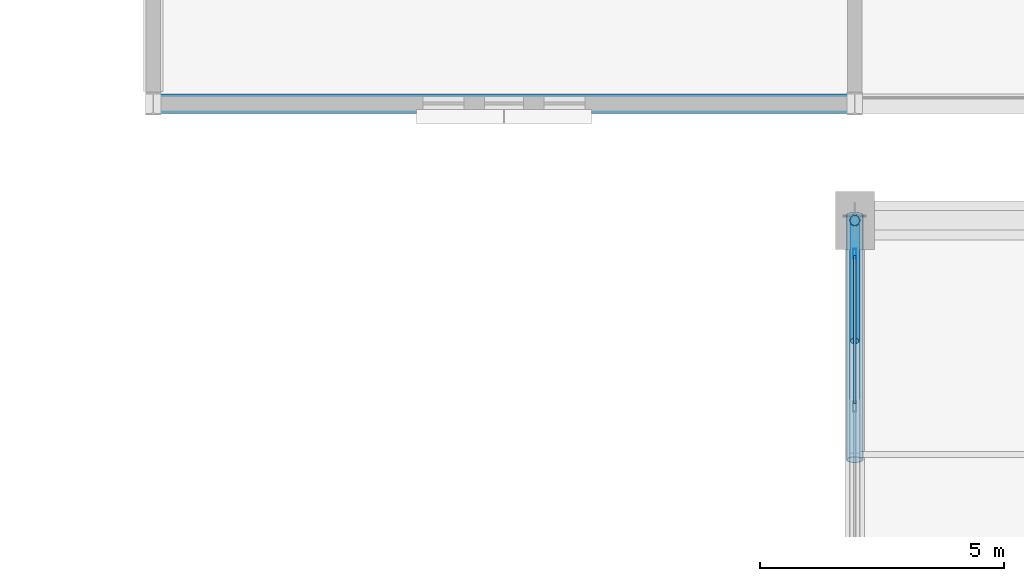
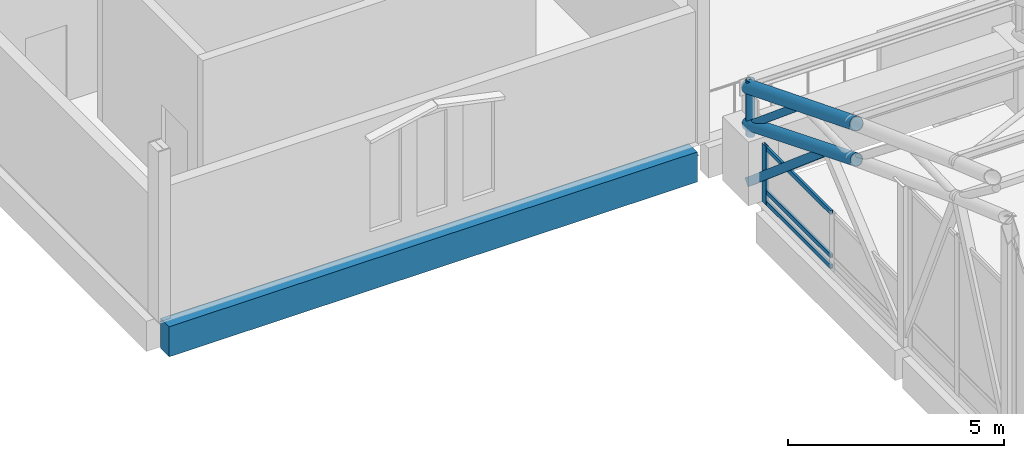
# One storey, part 49 of 116: 9 members, 1 beam, 1 element without a shape of its own.
"""IFC4 building model written with IfcOpenShell, lengths in metres."""

from ifc_helpers import new_model, si_unit, direction, frame, origin, origin_2d, place, context, subcontext, project, spatial, rectangle, hollow_rectangle, hollow_circle, extrude, material, material_profile, profile_set, type_object, element, aggregate, save


model = new_model("IFC4")

# Units and contexts
model_context = context("Model", 3, precision=1e-05, world=origin(), true_north=direction((0.0, 1.0)))
body_context = subcontext(model_context, "Body", "Model", "MODEL_VIEW")
ifc_project = project(units=[si_unit("LENGTHUNIT", "METRE"), si_unit("AREAUNIT", "SQUARE_METRE"), si_unit("VOLUMEUNIT", "CUBIC_METRE"), si_unit("PLANEANGLEUNIT", "RADIAN"), si_unit("MASSUNIT", "GRAM", prefix="KILO")], contexts=[model_context])

# Site, building, storey
site_placement = place(None, origin())
site = spatial("IfcSite", under=ifc_project, at=site_placement, CompositionType="ELEMENT")
building_placement = place(site_placement, origin())
building = spatial("IfcBuilding", under=site, at=building_placement, Name="Cendralis Lancet Convention Centre", CompositionType="ELEMENT")
storey_placement = place(building_placement, frame((0.0, 0.0, 15.0)))
storey = spatial("IfcBuildingStorey", under=building, at=storey_placement, Name="L03", CompositionType="ELEMENT", Elevation=15.0)

# Curtain wall, members
ifc_material_1 = material(Name="Anodised bronze architectural aluminium", Category="aluminium")
curtain_wall_type = type_object("IfcCurtainWallType", Name="ARC-CW-PL02", PredefinedType="USERDEFINED", material=ifc_material_1)
curtain_wall_placement = place(storey_placement, origin())
curtain_wall = element("IfcCurtainWall", 1, at=curtain_wall_placement, inside=storey, type_object=curtain_wall_type, Name="L03 Curtain Wall CW-PL2 #140", ObjectType="CURTAIN WALL", PredefinedType="USERDEFINED")
ifc_material_profile_1 = material_profile(ifc_material_1, hollow_rectangle(XDim=0.070068359375, YDim=0.199951171875, WallThickness=0.0048828125, at=origin_2d()), Name="AL-MULL 70x200x5.0")
ifc_profile_set_1 = profile_set([ifc_material_profile_1], Name="Anodised bronze architectural aluminium")
member_type_1 = type_object("IfcMemberType", Name="ARC-CW-ML02", PredefinedType="MULLION", material=ifc_profile_set_1)
member_1_placement = place(storey_placement, frame((139.199951171875, 90.514892578125, 0.0), z_axis=(0.0, 0.0, 1.0), x_axis=(1.0, 0.0, 0.0)))
member_1 = element("IfcMember", 2, at=member_1_placement, type_object=member_type_1, Name="Mullion CW2-CW-PL2-L03-140-M2", PredefinedType="MULLION", context=body_context, shape_type="SweptSolid", body=[
    extrude(hollow_rectangle(XDim=0.070068359375, YDim=0.199951171875, WallThickness=0.0048828125, at=origin_2d()), origin(), (0.0, 0.0, 1.0), 1.64990234375),
])
ifc_material_profile_2 = material_profile(ifc_material_1, hollow_rectangle(XDim=0.06005859375, YDim=0.1201171875, WallThickness=0.00390625, at=origin_2d()), Name="AL-TRAN 60x120x4.0")
ifc_profile_set_2 = profile_set([ifc_material_profile_2], Name="Anodised bronze architectural aluminium")
member_type_2 = type_object("IfcMemberType", Name="ARC-CW-TR01", PredefinedType="USERDEFINED", material=ifc_profile_set_2)
member_2_placement = place(storey_placement, frame((139.199951171875, 87.445068359375, 0.06005859375), z_axis=(0.0, 1.0, 0.0), x_axis=(-1.0, 0.0, 0.0)))
member_2 = element("IfcMember", 3, at=member_2_placement, type_object=member_type_2, Name="Transom CW2-CW-PL2-L03-140-T1BOT", ObjectType="TRANSOM", PredefinedType="USERDEFINED", context=body_context, shape_type="SweptSolid", body=[
    extrude(hollow_rectangle(XDim=0.06005859375, YDim=0.1201171875, WallThickness=0.00390625, at=origin_2d()), origin(), (0.0, 0.0, 1.0), 3.034912109375),
])
member_3_placement = place(storey_placement, frame((139.199951171875, 87.445068359375, 0.363037109375), z_axis=(0.0, 1.0, 0.0), x_axis=(-1.0, 0.0, 0.0)))
member_3 = element("IfcMember", 4, at=member_3_placement, type_object=member_type_2, Name="Transom CW2-CW-PL2-L03-140-T1MID", ObjectType="TRANSOM", PredefinedType="USERDEFINED", context=body_context, shape_type="SweptSolid", body=[
    extrude(hollow_rectangle(XDim=0.06005859375, YDim=0.1201171875, WallThickness=0.00390625, at=origin_2d()), origin(), (0.0, 0.0, 1.0), 3.034912109375),
])
member_4_placement = place(storey_placement, frame((139.199951171875, 87.445068359375, 1.590087890625), z_axis=(0.0, 1.0, 0.0), x_axis=(-1.0, 0.0, 0.0)))
member_4 = element("IfcMember", 5, at=member_4_placement, type_object=member_type_2, Name="Transom CW2-CW-PL2-L03-140-T1TOP", ObjectType="TRANSOM", PredefinedType="USERDEFINED", context=body_context, shape_type="SweptSolid", body=[
    extrude(hollow_rectangle(XDim=0.06005859375, YDim=0.1201171875, WallThickness=0.00390625, at=origin_2d()), origin(), (0.0, 0.0, 1.0), 3.034912109375),
])
aggregate(curtain_wall, [member_1, member_2, member_3, member_4])

# Member
ifc_material_2 = material(Name="Steel S355", Category="steel")
ifc_material_profile_3 = material_profile(ifc_material_2, hollow_rectangle(XDim=0.219970703125, YDim=0.219970703125, WallThickness=0.012451171875, at=origin_2d()), Name="SHS 220x220x12.5")
ifc_profile_set_3 = profile_set([ifc_material_profile_3], Name="Steel S355")
member_type_3 = type_object("IfcMemberType", Name="STR-BR-GB02", PredefinedType="BRACE", material=ifc_profile_set_3)
member_5_placement = place(storey_placement, frame((139.199951171875, 91.199951171875, 0.199951171875), z_axis=(0.0, -0.762583352591, 0.646889967732), x_axis=(1.0, 0.0, 0.0)))
element("IfcMember", 6, at=member_5_placement, inside=storey, type_object=member_type_3, Name="Plenary Gable Gothic Ogival Tracery Rib GBR2 #070", PredefinedType="BRACE", context=body_context, shape_type="SweptSolid", body=[
    extrude(hollow_rectangle(XDim=0.219970703125, YDim=0.219970703125, WallThickness=0.012451171875, at=origin_2d()), origin(), (0.0, 0.0, 1.0), 4.720703125),
])

# Beam
ifc_material_3 = material(Name="Concrete G40 (C40/50)", Category="concrete")
ifc_material_profile_4 = material_profile(ifc_material_3, rectangle(XDim=0.39990234375, YDim=0.85009765625, at=origin_2d()), Name="RCB 400x850")
ifc_profile_set_4 = profile_set([ifc_material_profile_4], Name="Concrete G40 (C40/50)")
beam_type = type_object("IfcBeamType", Name="STR-SP-SP02", PredefinedType="SPANDREL", material=ifc_profile_set_4)
beam_placement = place(storey_placement, frame((124.949951171875, 93.60009765625, -0.68505859375), z_axis=(1.0, 0.0, 0.0), x_axis=(0.0, 1.0, 0.0)))
element("IfcBeam", 7, at=beam_placement, inside=storey, type_object=beam_type, Name="L03 Beam SP02 #1755", PredefinedType="SPANDREL", context=body_context, shape_type="SweptSolid", body=[
    extrude(rectangle(XDim=0.39990234375, YDim=0.85009765625, at=origin_2d()), origin(), (0.0, 0.0, 1.0), 14.10009765625),
])

# Members
ifc_material_profile_5 = material_profile(ifc_material_2, hollow_circle(Radius=0.161865234375, WallThickness=0.01416015625, at=origin_2d()), Name="CHS 323.9x14.2")
ifc_profile_set_5 = profile_set([ifc_material_profile_5], Name="Steel S355")
member_type_4 = type_object("IfcMemberType", Name="STR-TR-BC02", PredefinedType="CHORD", material=ifc_profile_set_5)
member_6_placement = place(storey_placement, frame((139.199951171875, 86.288818359375, 3.782958984375), z_axis=(0.0, 0.927271931531, -0.374388521451), x_axis=(-1.0, 0.0, 0.0)))
element("IfcMember", 8, at=member_6_placement, inside=storey, type_object=member_type_4, Name="ROOF TRUSS AT-V2-01 Bottom Chord 09", PredefinedType="CHORD", context=body_context, shape_type="SweptSolid", body=[
    extrude(hollow_circle(Radius=0.161865234375, WallThickness=0.01416015625, at=origin_2d()), origin(), (0.0, 0.0, 1.0), 5.41650390625),
])
ifc_material_profile_6 = material_profile(ifc_material_2, hollow_circle(Radius=0.177734375, WallThickness=0.01611328125, at=origin_2d()), Name="CHS 355.6x16.0")
ifc_profile_set_6 = profile_set([ifc_material_profile_6], Name="Steel S355")
member_type_5 = type_object("IfcMemberType", Name="STR-TR-TC02", PredefinedType="CHORD", material=ifc_profile_set_6)
member_7_placement = place(storey_placement, frame((139.199951171875, 86.28857421875, 4.798828125), z_axis=(0.0, 0.929495136476, -0.368834368338), x_axis=(-1.0, 0.0, 0.0)))
element("IfcMember", 9, at=member_7_placement, inside=storey, type_object=member_type_5, Name="ROOF TRUSS AT-V2-01 Top Chord 09", PredefinedType="CHORD", context=body_context, shape_type="SweptSolid", body=[
    extrude(hollow_circle(Radius=0.177734375, WallThickness=0.01611328125, at=origin_2d()), origin(), (0.0, 0.0, 1.0), 5.404052734375),
])
ifc_material_profile_7 = material_profile(ifc_material_2, hollow_circle(Radius=0.096923828125, WallThickness=0.008056640625, at=origin_2d()), Name="CHS 193.7x8.0")
ifc_profile_set_7 = profile_set([ifc_material_profile_7], Name="Steel S355")
member_type_6 = type_object("IfcMemberType", Name="STR-TR-WD02", PredefinedType="BRACE", material=ifc_profile_set_7)
member_8_placement = place(storey_placement, frame((139.199951171875, 88.72314453125, 3.866455078125), z_axis=(0.0, 0.767848091912, -0.640631959667), x_axis=(-1.0, 0.0, 0.0)))
element("IfcMember", 10, at=member_8_placement, inside=storey, type_object=member_type_6, Name="ROOF TRUSS AT-V2-01 Warren Web 09-1", PredefinedType="BRACE", context=body_context, shape_type="SweptSolid", body=[
    extrude(hollow_circle(Radius=0.096923828125, WallThickness=0.008056640625, at=origin_2d()), origin(), (0.0, 0.0, 1.0), 3.32568359375),
])
ifc_material_profile_8 = material_profile(ifc_material_2, hollow_circle(Radius=0.109619140625, WallThickness=0.010009765625, at=origin_2d()), Name="CHS 219.1x10.0")
ifc_profile_set_8 = profile_set([ifc_material_profile_8], Name="Steel S355")
member_type_7 = type_object("IfcMemberType", Name="STR-TR-WV02", PredefinedType="POST", material=ifc_profile_set_8)
member_9_placement = place(storey_placement, frame((139.199951171875, 91.199951171875, 1.5), z_axis=(0.0, 0.0, 1.0), x_axis=(1.0, 0.0, 0.0)))
element("IfcMember", 11, at=member_9_placement, inside=storey, type_object=member_type_7, Name="ROOF TRUSS AT-V2-01 Springing Post N10", PredefinedType="POST", context=body_context, shape_type="SweptSolid", body=[
    extrude(hollow_circle(Radius=0.109619140625, WallThickness=0.010009765625, at=origin_2d()), origin(), (0.0, 0.0, 1.0), 1.570068359375),
])

save(model, "model.ifc")
